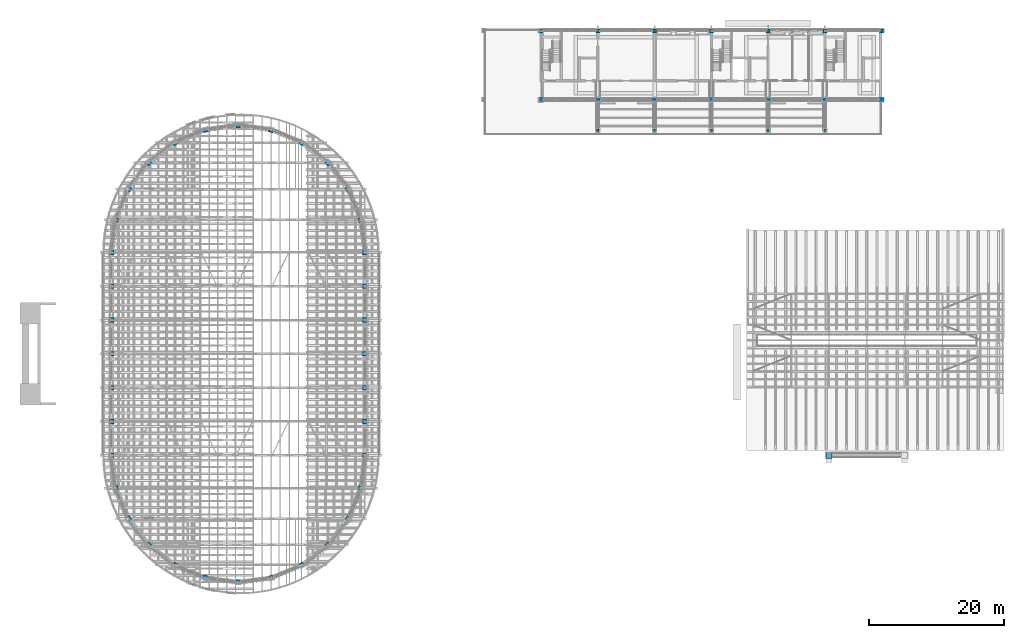
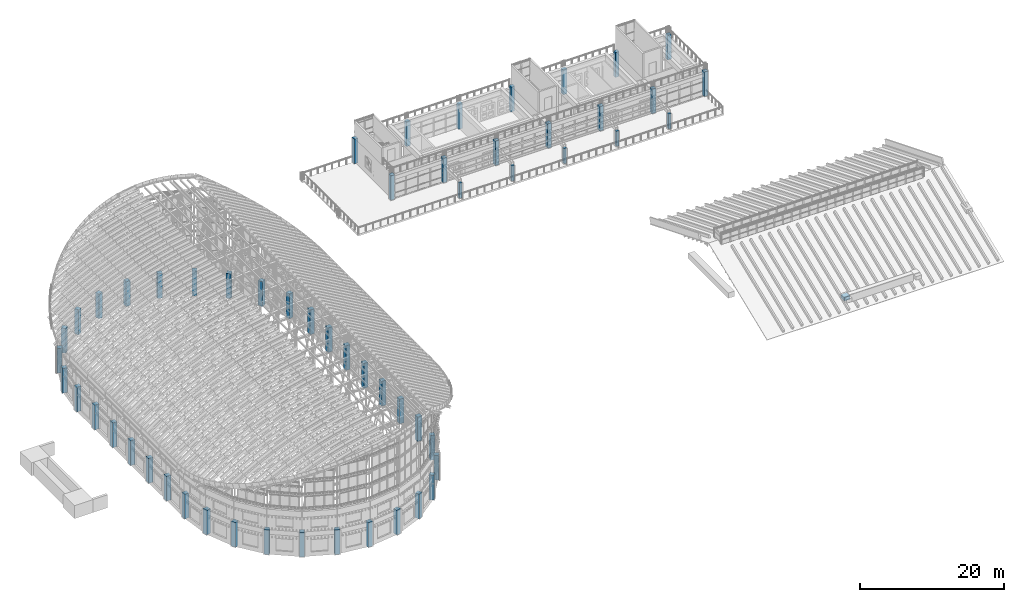
# One storey, part 1 of 105: 56 columns.
"""IFC4 building model written with IfcOpenShell, lengths in metres."""

from ifc_helpers import new_model, si_unit, direction, frame, origin, origin_2d, place, context, subcontext, project, spatial, rectangle, extrude, material, material_profile, profile_set, type_object, element, save


model = new_model("IFC4")

# Units and contexts
model_context = context("Model", 3, precision=1e-05, world=origin(), true_north=direction((0.0, 1.0)))
body_context = subcontext(model_context, "Body", "Model", "MODEL_VIEW")
ifc_project = project(units=[si_unit("LENGTHUNIT", "METRE"), si_unit("AREAUNIT", "SQUARE_METRE"), si_unit("VOLUMEUNIT", "CUBIC_METRE"), si_unit("PLANEANGLEUNIT", "RADIAN"), si_unit("MASSUNIT", "GRAM", prefix="KILO")], contexts=[model_context])

# Site, building, storey
site_placement = place(None, origin())
site = spatial("IfcSite", under=ifc_project, at=site_placement, CompositionType="ELEMENT")
building_placement = place(site_placement, origin())
building = spatial("IfcBuilding", under=site, at=building_placement, Name="Wasatch Bagh Community Centre", CompositionType="ELEMENT")
storey_placement = place(building_placement, frame((0.0, 0.0, 16.800048828125)))
storey = spatial("IfcBuildingStorey", under=building, at=storey_placement, Name="L04", CompositionType="ELEMENT", Elevation=16.800048828125)

# Columns
ifc_material = material(Name="Concrete C40", Category="concrete")
ifc_material_profile_1 = material_profile(ifc_material, rectangle(XDim=0.89990234375, YDim=0.89990234375, at=origin_2d()), Name="RC 900x900")
ifc_profile_set_1 = profile_set([ifc_material_profile_1], Name="Concrete C40")
column_type_1 = type_object("IfcColumnType", Name="CL-P1", PredefinedType="COLUMN", material=ifc_profile_set_1)
column_placement = place(storey_placement, frame((123.39990234375, 35.0, 0.0), z_axis=(0.0, 0.0, 1.0), x_axis=(1.0, 0.0, 0.0)))
element("IfcColumn", 1, at=column_placement, inside=storey, type_object=column_type_1, Name="CL-P1 pier SHP1", PredefinedType="COLUMN", context=body_context, shape_type="SweptSolid", body=[
    extrude(rectangle(XDim=0.89990234375, YDim=0.89990234375, at=origin_2d()), origin(), (0.0, 0.0, 1.0), 0.599853515625),
])
ifc_material_profile_2 = material_profile(ifc_material, rectangle(XDim=0.39990234375, YDim=0.39990234375, at=origin_2d()), Name="RC 400x400")
ifc_profile_set_2 = profile_set([ifc_material_profile_2], Name="Concrete C40")
column_type_2 = type_object("IfcColumnType", Name="LW RC 400x400", PredefinedType="COLUMN", material=ifc_profile_set_2)
for number, where, z_axis, x_axis, name in (
    (2, (89.199951171875, 83.10009765625, 0.0), (0.0, 0.0, 1.0), (1.0, 0.0, 0.0), "Pergola post T4"),
    (3, (97.60009765625, 83.10009765625, 0.0), (0.0, 0.0, 1.0), (1.0, 0.0, 0.0), "Pergola post T4"),
    (4, (106.0, 83.10009765625, 0.0), (0.0, 0.0, 1.0), (1.0, 0.0, 0.0), "Pergola post T4"),
    (5, (114.39990234375, 83.10009765625, 0.0), (0.0, 0.0, 1.0), (1.0, 0.0, 0.0), "Pergola post T4"),
    (6, (122.800048828125, 83.10009765625, 0.0), (0.0, 0.0, 1.0), (1.0, 0.0, 0.0), "Pergola post T4"),
):
    element("IfcColumn", number, at=place(storey_placement, frame(where, z_axis=z_axis, x_axis=x_axis)), inside=storey, type_object=column_type_2, Name=name, PredefinedType="COLUMN", context=body_context, shape_type="SweptSolid", body=[
        extrude(rectangle(XDim=0.39990234375, YDim=0.39990234375, at=origin_2d()), origin(), (0.0, 0.0, 1.0), 2.599853515625),
    ])
ifc_material_profile_3 = material_profile(ifc_material, rectangle(XDim=0.60009765625, YDim=0.60009765625, at=origin_2d()), Name="RC 600x600")
ifc_profile_set_3 = profile_set([ifc_material_profile_3], Name="Concrete C40")
column_type_3 = type_object("IfcColumnType", Name="LW RC 600x600", PredefinedType="COLUMN", material=ifc_profile_set_3)
for number, where, z_axis, x_axis, name in (
    (7, (80.800048828125, 87.60009765625, 0.0), (0.0, 0.0, 1.0), (1.0, 0.0, 0.0), "W3M"),
    (8, (89.199951171875, 87.60009765625, 0.0), (0.0, 0.0, 1.0), (1.0, 0.0, 0.0), "W4M"),
    (9, (97.60009765625, 87.60009765625, 0.0), (0.0, 0.0, 1.0), (1.0, 0.0, 0.0), "W5M"),
    (10, (106.0, 87.60009765625, 0.0), (0.0, 0.0, 1.0), (1.0, 0.0, 0.0), "W6M"),
    (11, (114.39990234375, 87.60009765625, 0.0), (0.0, 0.0, 1.0), (1.0, 0.0, 0.0), "W7M"),
    (12, (122.800048828125, 87.60009765625, 0.0), (0.0, 0.0, 1.0), (1.0, 0.0, 0.0), "W8M"),
    (13, (131.199951171875, 87.60009765625, 0.0), (0.0, 0.0, 1.0), (1.0, 0.0, 0.0), "W9M"),
    (14, (80.800048828125, 97.800048828125, 0.0), (0.0, 0.0, 1.0), (1.0, 0.0, 0.0), "W3N"),
    (15, (89.199951171875, 97.800048828125, 0.0), (0.0, 0.0, 1.0), (1.0, 0.0, 0.0), "W4N"),
    (16, (97.60009765625, 97.800048828125, 0.0), (0.0, 0.0, 1.0), (1.0, 0.0, 0.0), "W5N"),
    (17, (106.0, 97.800048828125, 0.0), (0.0, 0.0, 1.0), (1.0, 0.0, 0.0), "W6N"),
    (18, (114.39990234375, 97.800048828125, 0.0), (0.0, 0.0, 1.0), (1.0, 0.0, 0.0), "W7N"),
    (19, (122.800048828125, 97.800048828125, 0.0), (0.0, 0.0, 1.0), (1.0, 0.0, 0.0), "W8N"),
    (20, (131.199951171875, 97.800048828125, 0.0), (0.0, 0.0, 1.0), (1.0, 0.0, 0.0), "W9N"),
):
    element("IfcColumn", number, at=place(storey_placement, frame(where, z_axis=z_axis, x_axis=x_axis)), inside=storey, type_object=column_type_3, Name=name, PredefinedType="COLUMN", context=body_context, shape_type="SweptSolid", body=[
        extrude(rectangle(XDim=0.60009765625, YDim=0.60009765625, at=origin_2d()), origin(), (0.0, 0.0, 1.0), 4.199951171875),
    ])
ifc_material_profile_4 = material_profile(ifc_material, rectangle(XDim=0.699951171875, YDim=0.699951171875, at=origin_2d()), Name="RC 700x700")
ifc_profile_set_4 = profile_set([ifc_material_profile_4], Name="Concrete C40")
column_type_4 = type_object("IfcColumnType", Name="MH column RC 700x700", PredefinedType="COLUMN", material=ifc_profile_set_4)
for number, where, z_axis, x_axis, name in (
    (21, (17.25, 35.0, 0.0), (0.0, 0.0, 1.0), (1.0, 0.0, 0.0), "Column W1"),
    (22, (17.25, 40.0, 0.0), (0.0, 0.0, 1.0), (1.0, 0.0, 0.0), "Column W2"),
    (23, (17.25, 45.0, 0.0), (0.0, 0.0, 1.0), (1.0, 0.0, 0.0), "Column W3"),
    (24, (17.25, 50.0, 0.0), (0.0, 0.0, 1.0), (1.0, 0.0, 0.0), "Column W4"),
    (25, (17.25, 55.0, 0.0), (0.0, 0.0, 1.0), (1.0, 0.0, 0.0), "Column W5"),
    (26, (17.25, 60.0, 0.0), (0.0, 0.0, 1.0), (1.0, 0.0, 0.0), "Column W6"),
    (27, (17.25, 65.0, 0.0), (0.0, 0.0, 1.0), (1.0, 0.0, 0.0), "Column W7"),
    (28, (54.75, 35.0, 0.0), (0.0, 0.0, 1.0), (1.0, 0.0, 0.0), "Column E1"),
    (29, (54.75, 40.0, 0.0), (0.0, 0.0, 1.0), (1.0, 0.0, 0.0), "Column E2"),
    (30, (54.75, 45.0, 0.0), (0.0, 0.0, 1.0), (1.0, 0.0, 0.0), "Column E3"),
    (31, (54.75, 50.0, 0.0), (0.0, 0.0, 1.0), (1.0, 0.0, 0.0), "Column E4"),
    (32, (54.75, 55.0, 0.0), (0.0, 0.0, 1.0), (1.0, 0.0, 0.0), "Column E5"),
    (33, (54.75, 60.0, 0.0), (0.0, 0.0, 1.0), (1.0, 0.0, 0.0), "Column E6"),
    (34, (54.75, 65.0, 0.0), (0.0, 0.0, 1.0), (1.0, 0.0, 0.0), "Column E7"),
    (35, (17.888916015625, 30.147216796875, 0.0), (0.0, 0.0, 1.0), (0.965925826289, 0.258819045103, 0.0), "Column S1"),
    (36, (19.761962890625, 25.625, 0.0), (0.0, 0.0, 1.0), (0.866025403784, 0.5, 0.0), "Column S2"),
    (37, (22.74169921875, 21.74169921875, 0.0), (0.0, 0.0, 1.0), (0.707106781187, 0.707106781187, 0.0), "Column S3"),
    (38, (26.625, 18.761962890625, 0.0), (0.0, 0.0, 1.0), (0.5, 0.866025403784, 0.0), "Column S4"),
    (39, (31.147216796875, 16.888916015625, 0.0), (0.0, 0.0, 1.0), (0.258819045103, 0.965925826289, 0.0), "Column S5"),
    (40, (36.0, 16.25, 0.0), (0.0, 0.0, 1.0), (1.0, 0.0, 0.0), "Column S6"),
    (41, (40.852783203125, 16.888916015625, 0.0), (0.0, 0.0, 1.0), (0.965925826289, 0.258819045103, 0.0), "Column S7"),
    (42, (45.375, 18.761962890625, 0.0), (0.0, 0.0, 1.0), (0.866025403784, 0.5, 0.0), "Column S8"),
    (43, (49.25830078125, 21.74169921875, 0.0), (0.0, 0.0, 1.0), (0.707106781187, 0.707106781187, 0.0), "Column S9"),
    (44, (52.238037109375, 25.625, 0.0), (0.0, 0.0, 1.0), (0.5, 0.866025403784, 0.0), "Column S10"),
    (45, (54.111083984375, 30.147216796875, 0.0), (0.0, 0.0, 1.0), (0.258819045103, 0.965925826289, 0.0), "Column S11"),
    (46, (54.111083984375, 69.852783203125, 0.0), (0.0, 0.0, 1.0), (0.965925826289, 0.258819045103, 0.0), "Column N1"),
    (47, (52.238037109375, 74.375, 0.0), (0.0, 0.0, 1.0), (0.866025403784, 0.5, 0.0), "Column N2"),
    (48, (49.25830078125, 78.25830078125, 0.0), (0.0, 0.0, 1.0), (0.707106781187, 0.707106781187, 0.0), "Column N3"),
    (49, (45.375, 81.238037109375, 0.0), (0.0, 0.0, 1.0), (0.5, 0.866025403784, 0.0), "Column N4"),
    (50, (40.852783203125, 83.111083984375, 0.0), (0.0, 0.0, 1.0), (0.258819045103, 0.965925826289, 0.0), "Column N5"),
    (51, (36.0, 83.75, 0.0), (0.0, 0.0, 1.0), (1.0, 0.0, 0.0), "Column N6"),
    (52, (31.147216796875, 83.111083984375, 0.0), (0.0, 0.0, 1.0), (0.965925826289, 0.258819045103, 0.0), "Column N7"),
    (53, (26.625, 81.238037109375, 0.0), (0.0, 0.0, 1.0), (0.866025403784, 0.5, 0.0), "Column N8"),
    (54, (22.74169921875, 78.25830078125, 0.0), (0.0, 0.0, 1.0), (0.707106781187, 0.707106781187, 0.0), "Column N9"),
    (55, (19.761962890625, 74.375, 0.0), (0.0, 0.0, 1.0), (0.5, 0.866025403784, 0.0), "Column N10"),
    (56, (17.888916015625, 69.852783203125, 0.0), (0.0, 0.0, 1.0), (0.258819045103, 0.965925826289, 0.0), "Column N11"),
):
    element("IfcColumn", number, at=place(storey_placement, frame(where, z_axis=z_axis, x_axis=x_axis)), inside=storey, type_object=column_type_4, Name=name, PredefinedType="COLUMN", context=body_context, shape_type="SweptSolid", body=[
        extrude(rectangle(XDim=0.699951171875, YDim=0.699951171875, at=origin_2d()), origin(), (0.0, 0.0, 1.0), 4.199951171875),
    ])

save(model, "model.ifc")
